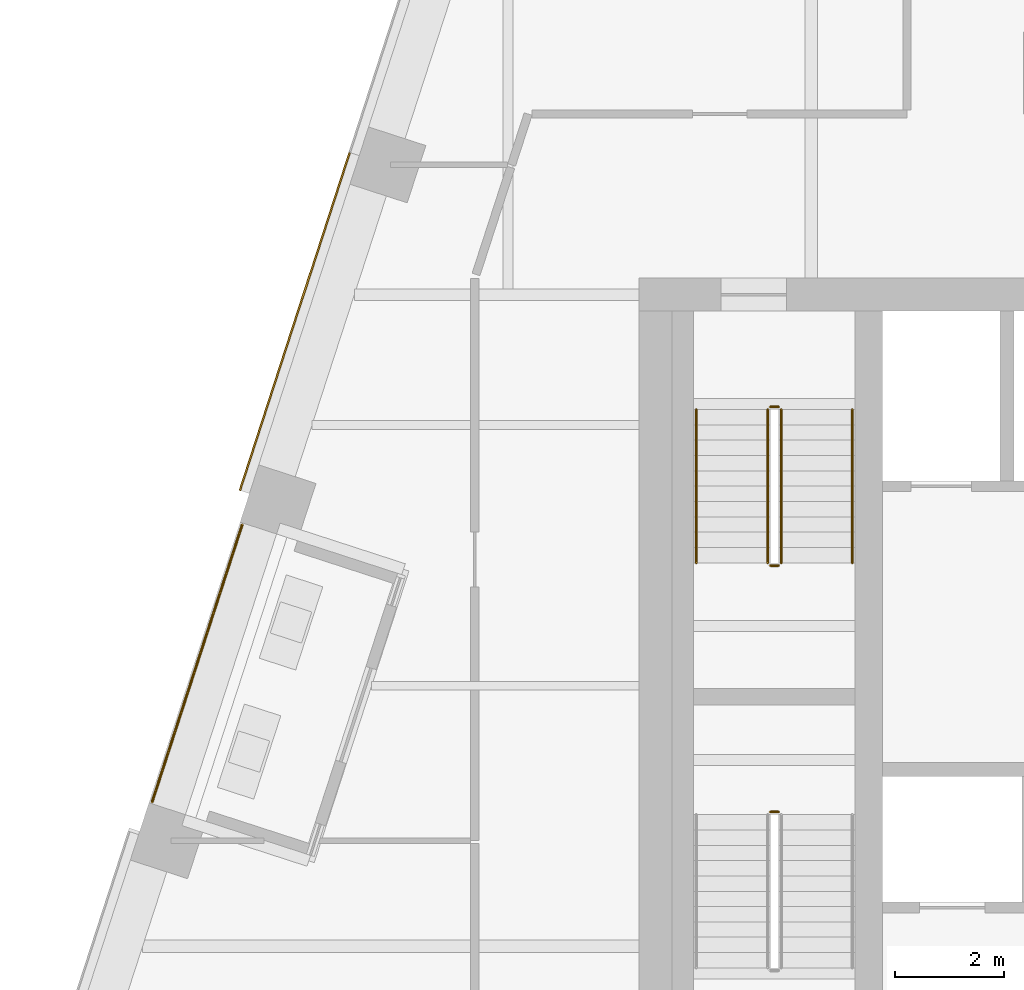
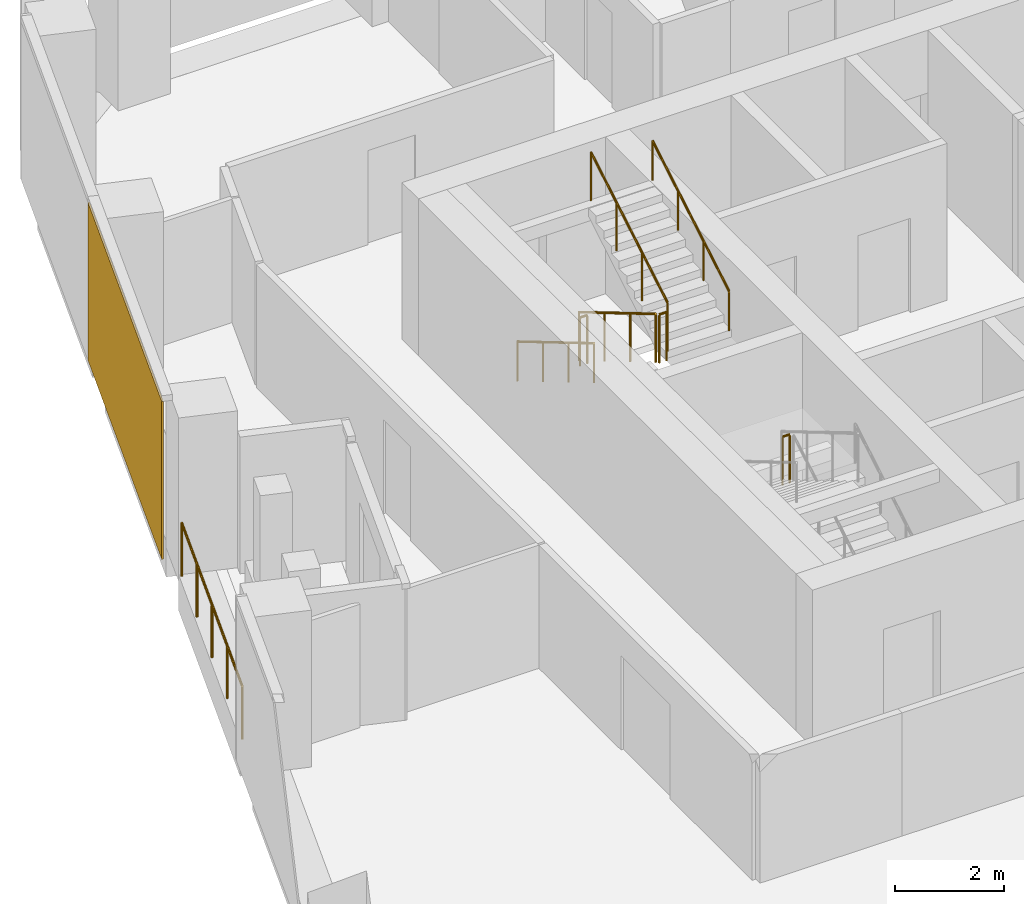
# One storey, part 22 of 24: 8 railings, 1 covering, 1 element without a shape of its own.
"""IFC4 building model written with IfcOpenShell, lengths in metres."""

from ifc_helpers import new_model, si_unit, direction, frame, origin, origin_2d, place, context, subcontext, project, spatial, rectangle, circle, extrude, material, layer, layer_set, type_object, element, aggregate, save


model = new_model("IFC4")

# Units and contexts
model_context = context("Model", 3, precision=1e-05, world=origin(), true_north=direction((0.0, 1.0)))
body_context = subcontext(model_context, "Body", "Model", "MODEL_VIEW")
ifc_project = project(units=[si_unit("LENGTHUNIT", "METRE"), si_unit("AREAUNIT", "SQUARE_METRE"), si_unit("VOLUMEUNIT", "CUBIC_METRE"), si_unit("PLANEANGLEUNIT", "RADIAN"), si_unit("MASSUNIT", "GRAM", prefix="KILO")], contexts=[model_context])

# Site, building, storey
site_placement = place(None, origin())
site = spatial("IfcSite", under=ifc_project, at=site_placement, CompositionType="ELEMENT")
building_placement = place(site_placement, origin())
building = spatial("IfcBuilding", under=site, at=building_placement, Name="Isthmus Gate Tower", CompositionType="ELEMENT")
storey_placement = place(building_placement, frame((0.0, 0.0, 219.949951171875)))
storey = spatial("IfcBuildingStorey", under=building, at=storey_placement, Name="L55", CompositionType="ELEMENT", Elevation=219.949951171875)

# Curtain wall, covering
ifc_material_1 = material(Name="Aluminium, pale champagne anodised", Category="aluminium")
ifc_layer_1 = layer(ifc_material_1, 0.199951171875)
ifc_layer_set_1 = layer_set([ifc_layer_1], Name="CW-1 UNITISED CURTAIN WALL 200 DEEP")
curtain_wall_type = type_object("IfcCurtainWallType", Name="CW-1 UNITISED CURTAIN WALL 200 DEEP", PredefinedType="NOTDEFINED", material=ifc_layer_set_1)
curtain_wall_placement = place(storey_placement, origin())
curtain_wall = element("IfcCurtainWall", 1, at=curtain_wall_placement, inside=storey, type_object=curtain_wall_type, Name="CW-1 NW L55", PredefinedType="NOTDEFINED")
ifc_material_2 = material(Name="Aluminium composite panel, pale champagne anodised", Category="aluminium")
ifc_layer_2 = layer(ifc_material_2, 0.031982421875)
ifc_layer_set_2 = layer_set([ifc_layer_2], Name="CW-1 PALE METAL PANEL 32")
covering_type = type_object("IfcCoveringType", Name="CW-1 PALE METAL PANEL 32", PredefinedType="CLADDING", material=ifc_layer_set_2)
covering_placement = place(storey_placement, frame((-21.288330078125, 14.210693359375, 0.0), z_axis=(0.0, 0.0, 1.0), x_axis=(-0.309016994375, -0.951056516295, 0.0)))
covering = element("IfcCovering", 2, at=covering_placement, type_object=covering_type, Name="CW-1 pale metal panel", PredefinedType="CLADDING", context=body_context, shape_type="SweptSolid", body=[
    extrude(rectangle(XDim=6.491943359375, YDim=0.031982421875, at=origin_2d()), origin(), (0.0, 0.0, 1.0), 3.52001953125),
])
aggregate(curtain_wall, [covering])

# Railings
ifc_material_3 = material(Name="Toughened laminated glass with stainless steel posts", Category="steel")
railing_type_1 = type_object("IfcRailingType", Name="GUARD 1200 FRAMELESS GLASS", PredefinedType="GUARDRAIL", material=ifc_material_3)
railing_1_placement = place(storey_placement, frame((-22.251220703125, 10.489990234375, 0.0)))
element("IfcRailing", 3, at=railing_1_placement, inside=storey, type_object=railing_type_1, Name="LOGGIA GUARD", PredefinedType="GUARDRAIL", context=body_context, shape_type="SweptSolid", body=[
    extrude(circle(Radius=0.02490234375, at=origin_2d()), frame((0.0, 0.0, 1.1748046875), z_axis=(-0.309007085098, -0.951059735957, 0.0), x_axis=(0.951059735957, -0.309007085098, 0.0)), (0.0, 0.0, 1.0), 5.311767578125),
    extrude(circle(Radius=0.02490234375, at=origin_2d()), origin(), (0.0, 0.0, 1.0), 1.14990234375),
    extrude(circle(Radius=0.02490234375, at=origin_2d()), frame((-0.410400390625, -1.262939453125, 0.0)), (0.0, 0.0, 1.0), 1.14990234375),
    extrude(circle(Radius=0.02490234375, at=origin_2d()), frame((-0.82080078125, -2.52587890625, 0.0)), (0.0, 0.0, 1.0), 1.14990234375),
    extrude(circle(Radius=0.02490234375, at=origin_2d()), frame((-1.23095703125, -3.788818359375, 0.0)), (0.0, 0.0, 1.0), 1.14990234375),
    extrude(circle(Radius=0.02490234375, at=origin_2d()), frame((-1.641357421875, -5.0517578125, 0.0)), (0.0, 0.0, 1.0), 1.14990234375),
])
ifc_material_4 = material(Name="Stainless steel balustrade", Category="steel")
railing_type_2 = type_object("IfcRailingType", Name="STAIR GUARD 1100", PredefinedType="GUARDRAIL", material=ifc_material_4)
railing_2_placement = place(storey_placement, frame((-12.64990234375, 12.60009765625, 0.166015625)))
element("IfcRailing", 4, at=railing_2_placement, inside=storey, type_object=railing_type_2, Name="L55 ST1 stair guard 1", PredefinedType="GUARDRAIL", context=body_context, shape_type="SweptSolid", body=[
    extrude(circle(Radius=0.02392578125, at=origin_2d()), frame((0.0, 0.0, 1.076171875), z_axis=(0.0, -0.860339051648, 0.50972219513), x_axis=(1.0, 0.0, 0.0)), (0.0, 0.0, 1.0), 3.254638671875),
    extrude(circle(Radius=0.02099609375, at=origin_2d()), origin(), (0.0, 0.0, 1.0), 1.052001953125),
    extrude(circle(Radius=0.02099609375, at=origin_2d()), frame((0.0, -0.933349609375, 0.552978515625)), (0.0, 0.0, 1.0), 1.052001953125),
    extrude(circle(Radius=0.02099609375, at=origin_2d()), frame((0.0, -1.86669921875, 1.10595703125)), (0.0, 0.0, 1.0), 1.052001953125),
    extrude(circle(Radius=0.02099609375, at=origin_2d()), frame((0.0, -2.800048828125, 1.658935546875)), (0.0, 0.0, 1.0), 1.052001953125),
])
railing_3_placement = place(storey_placement, frame((-12.60009765625, 9.75, 1.824951171875)))
element("IfcRailing", 5, at=railing_3_placement, inside=storey, type_object=railing_type_2, Name="L55 ST1 stair guard 2", PredefinedType="GUARDRAIL", context=body_context, shape_type="SweptSolid", body=[
    extrude(circle(Radius=0.02392578125, at=origin_2d()), frame((0.0, 0.0, 1.076171875), z_axis=(1.0, 0.0, 0.0), x_axis=(0.0, 1.0, 0.0)), (0.0, 0.0, 1.0), 0.150146484375),
    extrude(circle(Radius=0.02099609375, at=origin_2d()), origin(), (0.0, 0.0, 1.0), 1.052001953125),
    extrude(circle(Radius=0.02099609375, at=origin_2d()), frame((0.150146484375, 0.0, 0.0)), (0.0, 0.0, 1.0), 1.052001953125),
])
railing_4_placement = place(storey_placement, frame((-12.39990234375, 9.800048828125, 1.990966796875)))
element("IfcRailing", 6, at=railing_4_placement, inside=storey, type_object=railing_type_2, Name="L55 ST1 stair guard 3", PredefinedType="GUARDRAIL", context=body_context, shape_type="SweptSolid", body=[
    extrude(circle(Radius=0.02392578125, at=origin_2d()), frame((0.0, 0.0, 1.076171875), z_axis=(0.0, 0.860306154799, 0.50977771628), x_axis=(-1.0, 0.0, 0.0)), (0.0, 0.0, 1.0), 3.254638671875),
    extrude(circle(Radius=0.02099609375, at=origin_2d()), origin(), (0.0, 0.0, 1.0), 1.052001953125),
    extrude(circle(Radius=0.02099609375, at=origin_2d()), frame((0.0, 0.933349609375, 0.552978515625)), (0.0, 0.0, 1.0), 1.052001953125),
    extrude(circle(Radius=0.02099609375, at=origin_2d()), frame((0.0, 1.86669921875, 1.106201171875)), (0.0, 0.0, 1.0), 1.052001953125),
    extrude(circle(Radius=0.02099609375, at=origin_2d()), frame((0.0, 2.800048828125, 1.6591796875)), (0.0, 0.0, 1.0), 1.052001953125),
])
railing_5_placement = place(storey_placement, frame((-12.60009765625, 12.64990234375, 0.0)))
element("IfcRailing", 7, at=railing_5_placement, inside=storey, type_object=railing_type_2, Name="L55 ST1 stair guard 4", PredefinedType="GUARDRAIL", context=body_context, shape_type="SweptSolid", body=[
    extrude(circle(Radius=0.02392578125, at=origin_2d()), frame((0.0, 0.0, 1.076171875), z_axis=(1.0, 0.0, 0.0), x_axis=(0.0, 1.0, 0.0)), (0.0, 0.0, 1.0), 0.150146484375),
    extrude(circle(Radius=0.02099609375, at=origin_2d()), origin(), (0.0, 0.0, 1.0), 1.052001953125),
    extrude(circle(Radius=0.02099609375, at=origin_2d()), frame((0.150146484375, 0.0, 0.0)), (0.0, 0.0, 1.0), 1.052001953125),
])
railing_6_placement = place(storey_placement, frame((-12.449951171875, 5.25, 1.824951171875)))
element("IfcRailing", 8, at=railing_6_placement, inside=storey, type_object=railing_type_2, Name="L55 ST7 stair guard 2", PredefinedType="GUARDRAIL", context=body_context, shape_type="SweptSolid", body=[
    extrude(circle(Radius=0.02392578125, at=origin_2d()), frame((0.0, 0.0, 1.076171875), z_axis=(-1.0, 0.0, 0.0), x_axis=(0.0, -1.0, 0.0)), (0.0, 0.0, 1.0), 0.150146484375),
    extrude(circle(Radius=0.02099609375, at=origin_2d()), origin(), (0.0, 0.0, 1.0), 1.052001953125),
    extrude(circle(Radius=0.02099609375, at=origin_2d()), frame((-0.150146484375, 0.0, 0.0)), (0.0, 0.0, 1.0), 1.052001953125),
])
ifc_material_5 = material(Name="Stainless steel handrail", Category="steel")
railing_type_3 = type_object("IfcRailingType", Name="STAIR HANDRAIL 900", PredefinedType="HANDRAIL", material=ifc_material_5)
railing_7_placement = place(storey_placement, frame((-13.949951171875, 12.60009765625, 0.166015625)))
element("IfcRailing", 9, at=railing_7_placement, inside=storey, type_object=railing_type_3, Name="L55 ST1 stair handrail 1", PredefinedType="HANDRAIL", context=body_context, shape_type="SweptSolid", body=[
    extrude(circle(Radius=0.02392578125, at=origin_2d()), frame((0.0, 0.0, 0.8759765625), z_axis=(0.0, -0.860339051648, 0.50972219513), x_axis=(1.0, 0.0, 0.0)), (0.0, 0.0, 1.0), 3.254638671875),
    extrude(circle(Radius=0.02099609375, at=origin_2d()), origin(), (0.0, 0.0, 1.0), 0.851806640625),
    extrude(circle(Radius=0.02099609375, at=origin_2d()), frame((0.0, -0.933349609375, 0.552978515625)), (0.0, 0.0, 1.0), 0.851806640625),
    extrude(circle(Radius=0.02099609375, at=origin_2d()), frame((0.0, -1.86669921875, 1.10595703125)), (0.0, 0.0, 1.0), 0.851806640625),
    extrude(circle(Radius=0.02099609375, at=origin_2d()), frame((0.0, -2.800048828125, 1.658935546875)), (0.0, 0.0, 1.0), 0.851806640625),
])
railing_8_placement = place(storey_placement, frame((-11.10009765625, 9.800048828125, 1.990966796875)))
element("IfcRailing", 10, at=railing_8_placement, inside=storey, type_object=railing_type_3, Name="L55 ST1 stair handrail 2", PredefinedType="HANDRAIL", context=body_context, shape_type="SweptSolid", body=[
    extrude(circle(Radius=0.02392578125, at=origin_2d()), frame((0.0, 0.0, 0.8759765625), z_axis=(0.0, 0.860306154799, 0.50977771628), x_axis=(-1.0, 0.0, 0.0)), (0.0, 0.0, 1.0), 3.254638671875),
    extrude(circle(Radius=0.02099609375, at=origin_2d()), origin(), (0.0, 0.0, 1.0), 0.851806640625),
    extrude(circle(Radius=0.02099609375, at=origin_2d()), frame((0.0, 0.933349609375, 0.552978515625)), (0.0, 0.0, 1.0), 0.851806640625),
    extrude(circle(Radius=0.02099609375, at=origin_2d()), frame((0.0, 1.86669921875, 1.106201171875)), (0.0, 0.0, 1.0), 0.851806640625),
    extrude(circle(Radius=0.02099609375, at=origin_2d()), frame((0.0, 2.800048828125, 1.6591796875)), (0.0, 0.0, 1.0), 0.851806640625),
])

save(model, "model.ifc")
